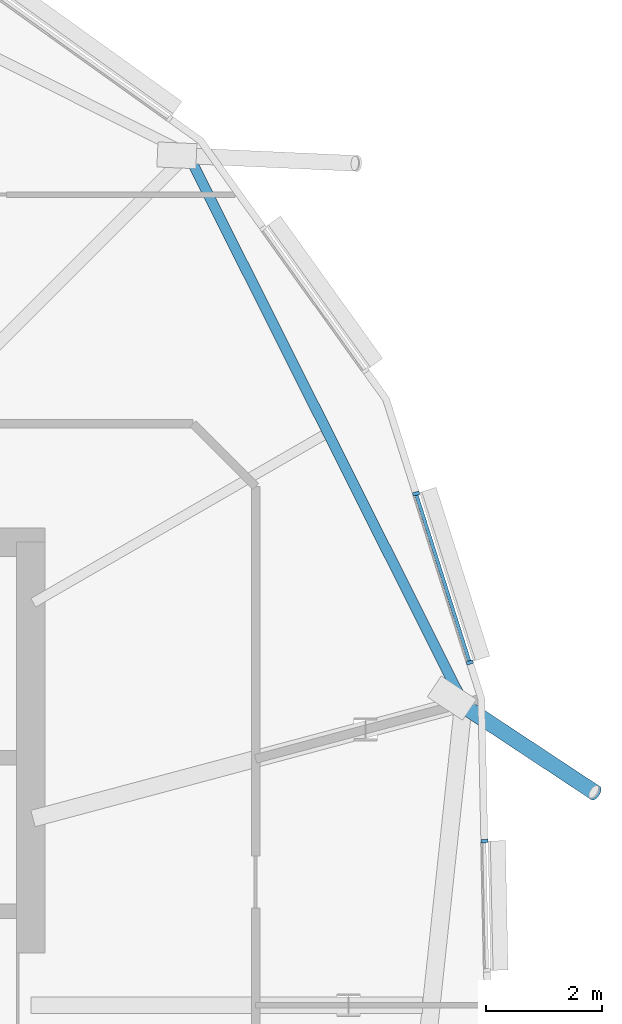
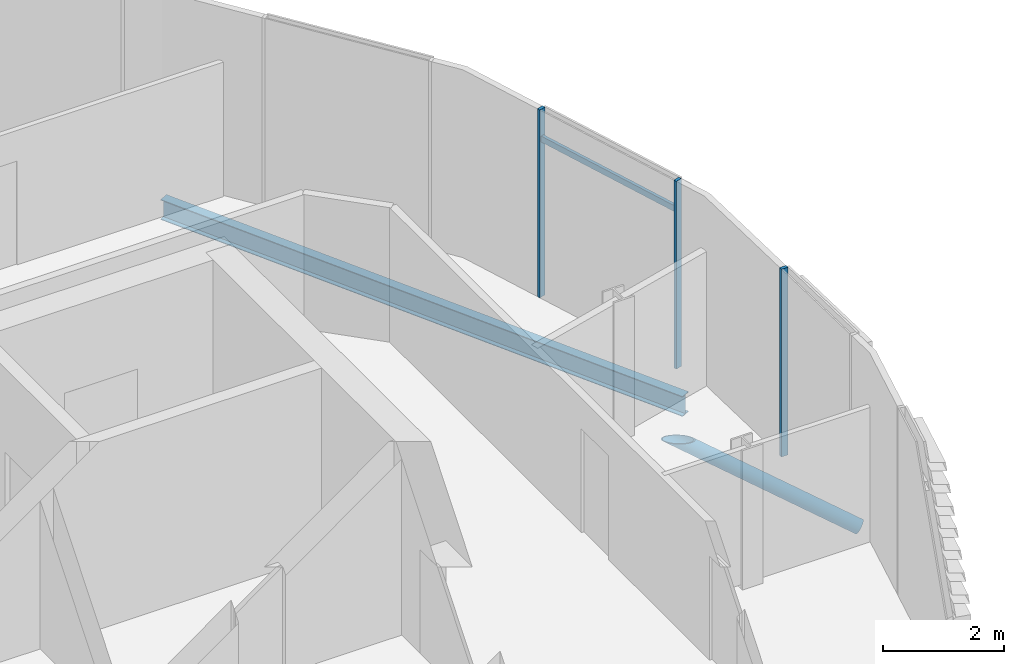
# One storey, part 13 of 41: 5 members, 1 beam, 1 element without a shape of its own.
"""IFC4 building model written with IfcOpenShell, lengths in metres."""

import ifcopenshell
import ifcopenshell.guid

model = None  # the IFC model being written
_history = None  # IfcOwnerHistory: only IFC2X3 demands one
_inside = {}  # id of a spatial element -> (the spatial element, [elements in it])
_under = {}  # id of a project, library or spatial element -> (it, [spatial elements below it])
_declared = {}  # id of a project -> (the project, [libraries it declares])
_typed = {}  # id of a type object -> (the type object, [elements of that type])
_made_of = {}  # id of a material, layer set ... -> (it, [elements and type objects made of it])


def new_model(schema):
    """Start an empty IFC model of exactly this schema.

    Asked for "IFC4X3", IfcOpenShell would pick the latest addendum, in which some entities
    have other attributes; the version numbers below select the first issue.
    IFC2X3 requires an IfcOwnerHistory on every rooted entity: one is made here for all.
    """
    global model, _history
    if schema == "IFC4X3":
        model = ifcopenshell.file(schema_version=(4, 3, 0, 0))
    else:
        model = ifcopenshell.file(schema=schema)
    _inside.clear()
    _under.clear()
    _declared.clear()
    _typed.clear()
    _made_of.clear()
    _history = None
    if model.schema == "IFC2X3":
        org = make("IfcOrganization", Name="unknown")
        user = make(
            "IfcPersonAndOrganization",
            ThePerson=make("IfcPerson", FamilyName="unknown"),
            TheOrganization=org,
        )
        app = make(
            "IfcApplication",
            ApplicationDeveloper=org,
            Version="unknown",
            ApplicationFullName="unknown",
            ApplicationIdentifier="unknown",
        )
        _history = make(
            "IfcOwnerHistory",
            OwningUser=user,
            OwningApplication=app,
            ChangeAction="ADDED",
            CreationDate=0,
        )
    return model


def make(cls, **values):
    """One entity of the class cls with the attributes given. An attribute that is None is left unset."""
    return model.create_entity(
        cls, **{name: value for name, value in values.items() if value is not None}
    )


def rooted(cls, **values):
    """An entity with a GlobalId (a new one), such as an element, a storey or a relation."""
    return make(cls, GlobalId=ifcopenshell.guid.new(), OwnerHistory=_history, **values)


def si_unit(unit_type, name, prefix=None):
    """IfcSIUnit, for example si_unit("LENGTHUNIT", "METRE", prefix="MILLI")."""
    return make("IfcSIUnit", UnitType=unit_type, Prefix=prefix, Name=name)


def assignment(units):
    """IfcUnitAssignment: the units of a project."""
    return None if units is None else make("IfcUnitAssignment", Units=units)


def point(xyz):
    """IfcCartesianPoint."""
    return None if xyz is None else make("IfcCartesianPoint", Coordinates=xyz)


def direction(xyz):
    """IfcDirection."""
    return None if xyz is None else make("IfcDirection", DirectionRatios=xyz)


def frame(location, z_axis=None, x_axis=None):
    """IfcAxis2Placement3D, a coordinate frame: its origin and axes. An axis left out is left unset."""
    return make(
        "IfcAxis2Placement3D",
        Location=point(location),
        Axis=direction(z_axis),
        RefDirection=direction(x_axis),
    )


def frame_2d(location, x_axis=None):
    """IfcAxis2Placement2D, a coordinate frame in the plane: its origin and x axis."""
    return make(
        "IfcAxis2Placement2D", Location=point(location), RefDirection=direction(x_axis)
    )


def origin():
    """The frame at (0, 0, 0) with its axes left unset."""
    return frame((0.0, 0.0, 0.0))


def origin_2d():
    """The frame at (0, 0) in the plane with its x axis left unset."""
    return frame_2d((0.0, 0.0))


def place(relative_to, where):
    """IfcLocalPlacement: puts the frame where relative to a parent placement (None: the world)."""
    return make(
        "IfcLocalPlacement", PlacementRelTo=relative_to, RelativePlacement=where
    )


def context(
    kind, dimensions, precision=None, world=None, true_north=None, identifier=None
):
    """IfcGeometricRepresentationContext, for example the 3D "Model" context."""
    return make(
        "IfcGeometricRepresentationContext",
        ContextIdentifier=identifier,
        ContextType=kind,
        CoordinateSpaceDimension=dimensions,
        Precision=precision,
        WorldCoordinateSystem=world,
        TrueNorth=true_north,
    )


def subcontext(parent, identifier, kind, view, scale=None):
    """IfcGeometricRepresentationSubContext, for example "Body" below "Model"."""
    return make(
        "IfcGeometricRepresentationSubContext",
        ContextIdentifier=identifier,
        ContextType=kind,
        ParentContext=parent,
        TargetScale=scale,
        TargetView=view,
    )


def project(units=None, contexts=None):
    """IfcProject with its units and contexts."""
    return rooted(
        "IfcProject",
        Name="project",
        RepresentationContexts=contexts,
        UnitsInContext=assignment(units),
    )


def spatial(cls, under=None, at=None, **own):
    """A site, building, storey or space (cls), placed at a placement, below another one or the project."""
    s = rooted(cls, ObjectPlacement=at, **own)
    if under is not None:
        _under.setdefault(under.id(), (under, []))[1].append(s)
    return s


def profile(cls, at=None, kind="AREA", **sizes):
    """A parametric profile (cls). Its sizes go by their IFC names, for example OverallWidth=200.0."""
    return make(cls, ProfileType=kind, Position=at, **sizes)


def rectangle(**sizes):
    """IfcRectangleProfileDef."""
    return profile("IfcRectangleProfileDef", **sizes)


def hollow_circle(**sizes):
    """IfcCircleHollowProfileDef."""
    return profile("IfcCircleHollowProfileDef", **sizes)


def i_section(**sizes):
    """IfcIShapeProfileDef."""
    return profile("IfcIShapeProfileDef", **sizes)


def extrude(swept, where, along, depth):
    """IfcExtrudedAreaSolid: the profile swept, set in the frame where, extruded along a direction by depth."""
    return make(
        "IfcExtrudedAreaSolid",
        SweptArea=swept,
        Position=where,
        ExtrudedDirection=direction(along),
        Depth=depth,
    )


def clip(a, b, op="DIFFERENCE"):
    """IfcBooleanClippingResult: the solid a cut by the half space b."""
    return make(
        "IfcBooleanClippingResult", Operator=op, FirstOperand=a, SecondOperand=b
    )


def halfspace(plane, agree):
    """IfcHalfSpaceSolid: all space on one side of the plane z = 0 of the frame plane."""
    return make(
        "IfcHalfSpaceSolid",
        BaseSurface=make("IfcPlane", Position=plane),
        AgreementFlag=agree,
    )


def shape(context_of_items, identifier, shape_type, items):
    """IfcShapeRepresentation: the items that make up one representation, for example the "Body"."""
    return make(
        "IfcShapeRepresentation",
        ContextOfItems=context_of_items,
        RepresentationIdentifier=identifier,
        RepresentationType=shape_type,
        Items=items,
    )


def material(Name=None, Category=None):
    """IfcMaterial."""
    return make("IfcMaterial", Name=Name, Category=Category)


def material_profile(
    of_material, cross_section, Name=None, Category=None, Priority=None
):
    """IfcMaterialProfile: a cross section and its material."""
    return make(
        "IfcMaterialProfile",
        Name=Name,
        Material=of_material,
        Profile=cross_section,
        Priority=Priority,
        Category=Category,
    )


def profile_set(profiles, Name=None, composite=None):
    """IfcMaterialProfileSet."""
    return make(
        "IfcMaterialProfileSet",
        Name=Name,
        MaterialProfiles=profiles,
        CompositeProfile=composite,
    )


def made_of(thing, what):
    """Note that an element or type object is made of a material, layer set ...; save() writes the relation."""
    if what is not None:
        _made_of.setdefault(what.id(), (what, []))[1].append(thing)
    return thing


def type_object(cls, material=None, **own):
    """A type object (cls), such as IfcWallType, which elements share."""
    return made_of(rooted(cls, **own), material)


def element(
    cls,
    number,
    at=None,
    inside=None,
    cuts=None,
    type_object=None,
    material=None,
    context=None,
    identifier="Body",
    shape_type=None,
    held_by="IfcProductDefinitionShape",
    body=None,
    shapes=None,
    **own,
):
    """One element of the class cls, such as IfcWall. Its Tag is "e" and its number.

    at: its placement. inside: the storey or other place that contains it. cuts: it is an
    opening in that element (IfcRelVoidsElement). A single representation is given by context,
    identifier, shape_type and body (its items); several are given by shapes. held_by: the class
    of the entity that holds the representations. save() writes the other relations.
    """
    e = rooted(cls, Tag="e%d" % number, ObjectPlacement=at, **own)
    if body is not None:
        shapes = [shape(context, identifier, shape_type, body)]
    if shapes is not None:
        e.Representation = make(held_by, Representations=shapes)
    if inside is not None:
        _inside.setdefault(inside.id(), (inside, []))[1].append(e)
    if cuts is not None:
        rooted(
            "IfcRelVoidsElement", RelatingBuildingElement=cuts, RelatedOpeningElement=e
        )
    if type_object is not None:
        _typed.setdefault(type_object.id(), (type_object, []))[1].append(e)
    return made_of(e, material)


def aggregate(whole, parts):
    """IfcRelAggregates: a whole, such as a stair, and the parts it consists of."""
    return rooted("IfcRelAggregates", RelatingObject=whole, RelatedObjects=parts)


def save(model, path):
    """Write the relations noted so far, then the file.

    IfcRelAggregates (storeys below a building ...), IfcRelContainedInSpatialStructure (elements
    in a storey), IfcRelDefinesByType, IfcRelAssociatesMaterial and IfcRelDeclares: one each for
    every whole, place, type object, material and project.
    """
    for whole, parts in _under.values():
        aggregate(whole, parts)
    for where, things in _inside.values():
        rooted(
            "IfcRelContainedInSpatialStructure",
            RelatedElements=things,
            RelatingStructure=where,
        )
    for kind, things in _typed.values():
        rooted("IfcRelDefinesByType", RelatedObjects=things, RelatingType=kind)
    for what, things in _made_of.values():
        rooted("IfcRelAssociatesMaterial", RelatedObjects=things, RelatingMaterial=what)
    for by, libraries in _declared.values():
        rooted("IfcRelDeclares", RelatingContext=by, RelatedDefinitions=libraries)
    model.write(path)


model = new_model("IFC4")

# Units and contexts
model_context = context("Model", 3, precision=1e-05, world=origin(), true_north=direction((0.0, 1.0)))
body_context = subcontext(model_context, "Body", "Model", "MODEL_VIEW")
ifc_project = project(units=[si_unit("LENGTHUNIT", "METRE"), si_unit("AREAUNIT", "SQUARE_METRE"), si_unit("VOLUMEUNIT", "CUBIC_METRE"), si_unit("PLANEANGLEUNIT", "RADIAN"), si_unit("MASSUNIT", "GRAM", prefix="KILO")], contexts=[model_context])

# Site, building, storey
site_placement = place(None, origin())
site = spatial("IfcSite", under=ifc_project, at=site_placement, CompositionType="ELEMENT")
building_placement = place(site_placement, origin())
building = spatial("IfcBuilding", under=site, at=building_placement, Name="Rimbun Link Towers", CompositionType="ELEMENT")
storey_placement = place(building_placement, frame((0.0, 0.0, 214.300048828125)))
storey = spatial("IfcBuildingStorey", under=building, at=storey_placement, Name="L52", CompositionType="ELEMENT", Elevation=214.300048828125)

# Curtain wall, members
ifc_material_1 = material(Name="Aluminium 6063-T6 and low-iron glass", Category="aluminium")
curtain_wall_type = type_object("IfcCurtainWallType", Name="CW1-Z4 unitised vision wall (zone 4)", PredefinedType="NOTDEFINED", material=ifc_material_1)
curtain_wall_placement = place(storey_placement, origin())
curtain_wall = element("IfcCurtainWall", 1, at=curtain_wall_placement, inside=storey, type_object=curtain_wall_type, Name="CW1 L52 T2", PredefinedType="NOTDEFINED")
ifc_material_2 = material(Name="Aluminium 6063-T6", Category="aluminium")
ifc_material_profile_1 = material_profile(ifc_material_2, rectangle(XDim=0.1201171875, YDim=0.06005859375, at=origin_2d()), Name="MULLION 60X120")
ifc_profile_set_1 = profile_set([ifc_material_profile_1], Name="Aluminium 6063-T6")
member_type_1 = type_object("IfcMemberType", Name="CW1 mullion 60X120", PredefinedType="MULLION", material=ifc_profile_set_1)
member_1_placement = place(storey_placement, frame((51.586669921875, 2.837158203125, 0.0), z_axis=(0.0, 0.0, 1.0), x_axis=(0.999778345459, 0.021053739591, 0.0)))
member_1 = element("IfcMember", 2, at=member_1_placement, type_object=member_type_1, Name="CW1 mullion", PredefinedType="MULLION", context=body_context, shape_type="SweptSolid", body=[
    extrude(rectangle(XDim=0.1201171875, YDim=0.06005859375, at=origin_2d()), origin(), (0.0, 0.0, 1.0), 3.800048828125),
])
member_2_placement = place(storey_placement, frame((50.40771484375, 8.839599609375, 0.0), z_axis=(0.0, 0.0, 1.0), x_axis=(0.952968975919, 0.30306786523, 0.0)))
member_2 = element("IfcMember", 3, at=member_2_placement, type_object=member_type_1, Name="CW1 mullion", PredefinedType="MULLION", context=body_context, shape_type="SweptSolid", body=[
    extrude(rectangle(XDim=0.1201171875, YDim=0.06005859375, at=origin_2d()), origin(), (0.0, 0.0, 1.0), 3.800048828125),
])
member_3_placement = place(storey_placement, frame((51.335205078125, 5.9228515625, 0.0), z_axis=(0.0, 0.0, 1.0), x_axis=(0.952968975919, 0.30306786523, 0.0)))
member_3 = element("IfcMember", 4, at=member_3_placement, type_object=member_type_1, Name="CW1 mullion", PredefinedType="MULLION", context=body_context, shape_type="SweptSolid", body=[
    extrude(rectangle(XDim=0.1201171875, YDim=0.06005859375, at=origin_2d()), origin(), (0.0, 0.0, 1.0), 3.800048828125),
])
ifc_material_3 = material(Name="Aluminium 6063-T6", Category="aluminium")
ifc_material_profile_2 = material_profile(ifc_material_3, rectangle(XDim=0.06005859375, YDim=0.1201171875, at=origin_2d()), Name="TRANSOM 60X120")
ifc_profile_set_2 = profile_set([ifc_material_profile_2], Name="Aluminium 6063-T6")
member_type_2 = type_object("IfcMemberType", Name="CW1 transom 60X120", PredefinedType="USERDEFINED", material=ifc_profile_set_2)
member_4_placement = place(storey_placement, frame((50.414794921875, 8.810546875, 3.199951171875), z_axis=(0.303065967973, -0.952969579292, 0.0), x_axis=(0.952969579292, 0.303065967973, 0.0)))
member_4 = element("IfcMember", 5, at=member_4_placement, type_object=member_type_2, Name="CW1 transom", ObjectType="TRANSOM", PredefinedType="USERDEFINED", context=body_context, shape_type="SweptSolid", body=[
    extrude(rectangle(XDim=0.06005859375, YDim=0.1201171875, at=origin_2d()), origin(), (0.0, 0.0, 1.0), 3.000732421875),
])
aggregate(curtain_wall, [member_1, member_2, member_3, member_4])

# Member
ifc_material_4 = material(Name="Steel S355J2H", Category="steel")
ifc_material_profile_3 = material_profile(ifc_material_4, hollow_circle(Radius=0.136474609375, WallThickness=0.012451171875, at=origin_2d()), Name="CHS 273x12.5")
ifc_profile_set_3 = profile_set([ifc_material_profile_3], Name="Steel S355J2H")
member_type_3 = type_object("IfcMemberType", Name="Floor edge link CHS 273x12.5", PredefinedType="BRACE", material=ifc_profile_set_3)
member_5_placement = place(storey_placement, frame((51.177978515625, 5.205810546875, -1.1005859375), z_axis=(0.732790065361, -0.48413339255, -0.478156437086), x_axis=(0.551232320615, 0.834351801526, 0.0)))
element("IfcMember", 6, at=member_5_placement, inside=storey, type_object=member_type_3, Name="Floor edge link T2 L52 22", PredefinedType="BRACE", context=body_context, shape_type="Clipping", body=[
    clip(extrude(hollow_circle(Radius=0.136474609375, WallThickness=0.012451171875, at=origin_2d()), frame((0.0, 0.0, -0.522216796875)), (0.0, 0.0, 1.0), 3.708251953125), halfspace(frame((0.0, 0.0, -0.246337890625), z_axis=(0.0, 0.878274684636, -0.478156437086)), False)),
])

# Beam
ifc_material_5 = material(Name="Steel S355J2", Category="steel")
ifc_material_profile_4 = material_profile(ifc_material_5, i_section(OverallWidth=0.177978515625, OverallDepth=0.406494140625, WebThickness=0.0078125, FlangeThickness=0.0126953125, at=origin_2d()), Name="UB 406x178x60")
ifc_profile_set_4 = profile_set([ifc_material_profile_4], Name="Steel S355J2")
beam_type = type_object("IfcBeamType", Name="UB 406x178x60", PredefinedType="BEAM", material=ifc_profile_set_4)
beam_placement = place(storey_placement, frame((51.158935546875, 5.35302734375, -0.34326171875), z_axis=(-0.448476197321, 0.893794775346, 0.0), x_axis=(-0.893794775346, -0.448476197321, 0.0)))
element("IfcBeam", 7, at=beam_placement, inside=storey, type_object=beam_type, Name="Edge beam T2 L52 22-00", PredefinedType="BEAM", context=body_context, shape_type="SweptSolid", body=[
    extrude(i_section(OverallWidth=0.177978515625, OverallDepth=0.406494140625, WebThickness=0.0078125, FlangeThickness=0.0126953125, at=origin_2d()), origin(), (0.0, 0.0, 1.0), 10.360595703125),
])

save(model, "model.ifc")
